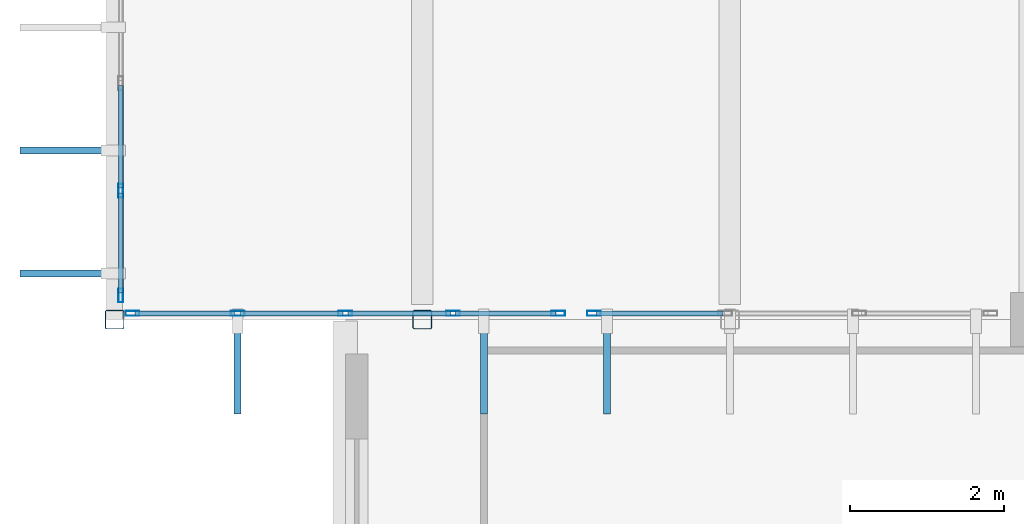
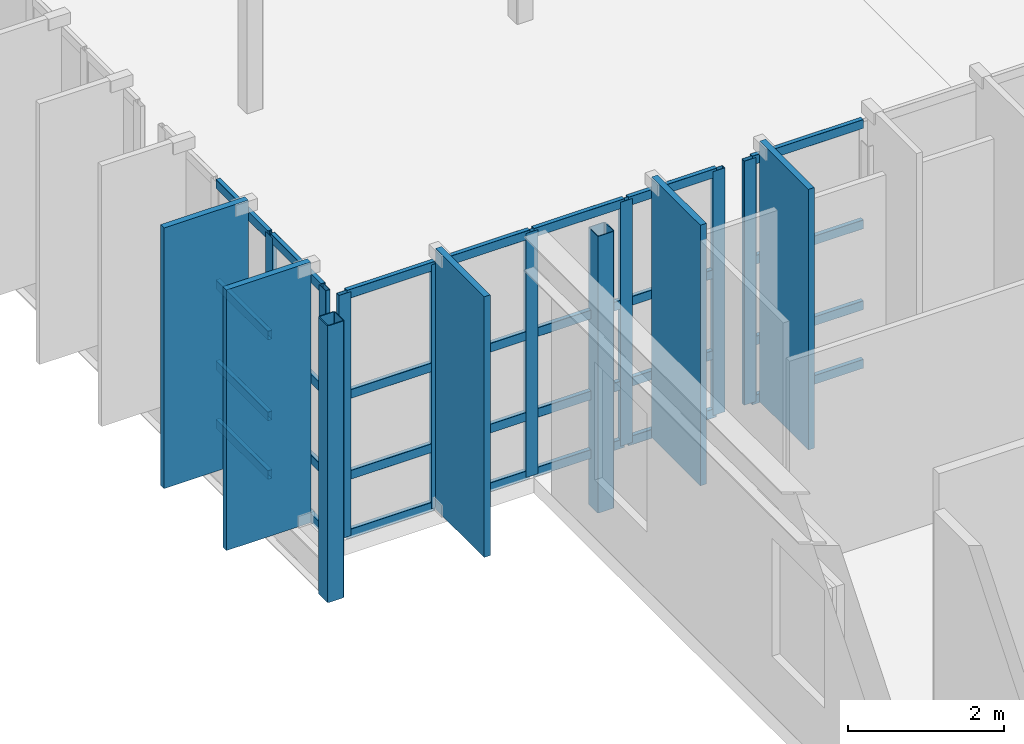
# One storey, part 25 of 110: 43 members, 3 elements without a shape of their own.
"""IFC4 building model written with IfcOpenShell, lengths in metres."""

from ifc_helpers import new_model, si_unit, direction, frame, origin, origin_2d, place, context, subcontext, project, spatial, rectangle, hollow_rectangle, extrude, material, material_profile, profile_set, type_object, element, aggregate, save


model = new_model("IFC4")

# Units and contexts
model_context = context("Model", 3, precision=1e-05, world=origin(), true_north=direction((0.0, 1.0)))
body_context = subcontext(model_context, "Body", "Model", "MODEL_VIEW")
ifc_project = project(units=[si_unit("LENGTHUNIT", "METRE"), si_unit("AREAUNIT", "SQUARE_METRE"), si_unit("VOLUMEUNIT", "CUBIC_METRE"), si_unit("PLANEANGLEUNIT", "RADIAN"), si_unit("MASSUNIT", "GRAM", prefix="KILO")], contexts=[model_context])

# Site, building, storey
site_placement = place(None, origin())
site = spatial("IfcSite", under=ifc_project, at=site_placement, CompositionType="ELEMENT")
building_placement = place(site_placement, origin())
building = spatial("IfcBuilding", under=site, at=building_placement, Name="Miravela Opera House", CompositionType="ELEMENT")
storey_placement = place(building_placement, frame((0.0, 0.0, 13.60009765625)))
storey = spatial("IfcBuildingStorey", under=building, at=storey_placement, Name="L03", CompositionType="ELEMENT", Elevation=13.60009765625)

# Curtain wall, members
ifc_material_1 = material(Name="Anodised architectural bronze aluminium 6063-T6", Category="aluminium")
curtain_wall_type = type_object("IfcCurtainWallType", Name="ARC-CW-02", PredefinedType="NOTDEFINED", material=ifc_material_1)
curtain_wall_1_placement = place(storey_placement, origin())
curtain_wall_1 = element("IfcCurtainWall", 1, at=curtain_wall_1_placement, inside=storey, type_object=curtain_wall_type, Name="Cantilever West Wrapper Glazing B1 CW-L03-015", PredefinedType="NOTDEFINED")
ifc_material_profile_1 = material_profile(ifc_material_1, hollow_rectangle(XDim=0.06494140625, YDim=0.179931640625, WallThickness=0.00390625, InnerFilletRadius=0.001953125, OuterFilletRadius=0.00390625, at=origin_2d()), Name="CWM-65X180")
ifc_profile_set_1 = profile_set([ifc_material_profile_1])
member_type_1 = type_object("IfcMemberType", Name="ARC-CWM-180", PredefinedType="MULLION", material=ifc_profile_set_1)
member_1_placement = place(storey_placement, frame((15.080078125, 37.3125, 0.0), z_axis=(0.0, 0.0, 1.0), x_axis=(-1.0, 0.0, 0.0)))
member_1 = element("IfcMember", 2, at=member_1_placement, type_object=member_type_1, Name="CW-02 mullion 1", PredefinedType="MULLION", context=body_context, shape_type="SweptSolid", body=[
    extrude(hollow_rectangle(XDim=0.06494140625, YDim=0.179931640625, WallThickness=0.00390625, InnerFilletRadius=0.001953125, OuterFilletRadius=0.00390625, at=origin_2d()), origin(), (0.0, 0.0, 1.0), 3.81982421875),
])
member_2_placement = place(storey_placement, frame((15.080078125, 38.6767578125, 0.0), z_axis=(0.0, 0.0, 1.0), x_axis=(-1.0, 0.0, 0.0)))
member_2 = element("IfcMember", 3, at=member_2_placement, type_object=member_type_1, Name="CW-02 mullion 2", PredefinedType="MULLION", context=body_context, shape_type="SweptSolid", body=[
    extrude(hollow_rectangle(XDim=0.06494140625, YDim=0.179931640625, WallThickness=0.00390625, InnerFilletRadius=0.001953125, OuterFilletRadius=0.00390625, at=origin_2d()), origin(), (0.0, 0.0, 1.0), 3.81982421875),
])

curtain_wall_2_placement = place(storey_placement, origin())
curtain_wall_2 = element("IfcCurtainWall", 4, at=curtain_wall_2_placement, inside=storey, type_object=curtain_wall_type, Name="Auditorium South Wrapper Glazing CW-L03-024", PredefinedType="NOTDEFINED")
member_3_placement = place(storey_placement, frame((15.232421875, 37.080078125, 0.0), z_axis=(0.0, 0.0, 1.0), x_axis=(0.0, 1.0, 0.0)))
member_3 = element("IfcMember", 5, at=member_3_placement, type_object=member_type_1, Name="CW-02 mullion 1", PredefinedType="MULLION", context=body_context, shape_type="SweptSolid", body=[
    extrude(hollow_rectangle(XDim=0.06494140625, YDim=0.179931640625, WallThickness=0.00390625, InnerFilletRadius=0.001953125, OuterFilletRadius=0.00390625, at=origin_2d()), origin(), (0.0, 0.0, 1.0), 3.81982421875),
])
member_4_placement = place(storey_placement, frame((16.60009765625, 37.080078125, 0.0), z_axis=(0.0, 0.0, 1.0), x_axis=(0.0, 1.0, 0.0)))
member_4 = element("IfcMember", 6, at=member_4_placement, type_object=member_type_1, Name="CW-02 mullion 2", PredefinedType="MULLION", context=body_context, shape_type="SweptSolid", body=[
    extrude(hollow_rectangle(XDim=0.06494140625, YDim=0.179931640625, WallThickness=0.00390625, InnerFilletRadius=0.001953125, OuterFilletRadius=0.00390625, at=origin_2d()), origin(), (0.0, 0.0, 1.0), 3.81982421875),
])
member_5_placement = place(storey_placement, frame((18.0, 37.080078125, 0.0), z_axis=(0.0, 0.0, 1.0), x_axis=(0.0, 1.0, 0.0)))
member_5 = element("IfcMember", 7, at=member_5_placement, type_object=member_type_1, Name="CW-02 mullion 3", PredefinedType="MULLION", context=body_context, shape_type="SweptSolid", body=[
    extrude(hollow_rectangle(XDim=0.06494140625, YDim=0.179931640625, WallThickness=0.00390625, InnerFilletRadius=0.001953125, OuterFilletRadius=0.00390625, at=origin_2d()), origin(), (0.0, 0.0, 1.0), 3.81982421875),
])
member_6_placement = place(storey_placement, frame((19.39990234375, 37.080078125, 0.0), z_axis=(0.0, 0.0, 1.0), x_axis=(0.0, 1.0, 0.0)))
member_6 = element("IfcMember", 8, at=member_6_placement, type_object=member_type_1, Name="CW-02 mullion 4", PredefinedType="MULLION", context=body_context, shape_type="SweptSolid", body=[
    extrude(hollow_rectangle(XDim=0.06494140625, YDim=0.179931640625, WallThickness=0.00390625, InnerFilletRadius=0.001953125, OuterFilletRadius=0.00390625, at=origin_2d()), origin(), (0.0, 0.0, 1.0), 3.81982421875),
])
member_7_placement = place(storey_placement, frame((20.767578125, 37.080078125, 0.0), z_axis=(0.0, 0.0, 1.0), x_axis=(0.0, 1.0, 0.0)))
member_7 = element("IfcMember", 9, at=member_7_placement, type_object=member_type_1, Name="CW-02 mullion 5", PredefinedType="MULLION", context=body_context, shape_type="SweptSolid", body=[
    extrude(hollow_rectangle(XDim=0.06494140625, YDim=0.179931640625, WallThickness=0.00390625, InnerFilletRadius=0.001953125, OuterFilletRadius=0.00390625, at=origin_2d()), origin(), (0.0, 0.0, 1.0), 3.81982421875),
])

# Curtain wall, member
curtain_wall_3_placement = place(storey_placement, origin())
curtain_wall_3 = element("IfcCurtainWall", 10, at=curtain_wall_3_placement, inside=storey, type_object=curtain_wall_type, Name="Auditorium South Wrapper Glazing CW-L03-026", PredefinedType="NOTDEFINED")
member_8_placement = place(storey_placement, frame((21.232421875, 37.080078125, 0.0), z_axis=(0.0, 0.0, 1.0), x_axis=(0.0, 1.0, 0.0)))
member_8 = element("IfcMember", 11, at=member_8_placement, type_object=member_type_1, Name="CW-02 mullion 1", PredefinedType="MULLION", context=body_context, shape_type="SweptSolid", body=[
    extrude(hollow_rectangle(XDim=0.06494140625, YDim=0.179931640625, WallThickness=0.00390625, InnerFilletRadius=0.001953125, OuterFilletRadius=0.00390625, at=origin_2d()), origin(), (0.0, 0.0, 1.0), 3.81982421875),
])

# Member
ifc_material_profile_2 = material_profile(ifc_material_1, hollow_rectangle(XDim=0.06494140625, YDim=0.139892578125, WallThickness=0.00390625, InnerFilletRadius=0.001953125, OuterFilletRadius=0.00390625, at=origin_2d()), Name="CWT-65X140")
ifc_profile_set_2 = profile_set([ifc_material_profile_2])
member_type_2 = type_object("IfcMemberType", Name="ARC-CWT-140", PredefinedType="USERDEFINED", material=ifc_profile_set_2)
member_9_placement = place(storey_placement, frame((15.080078125, 37.344970703125, 0.032470703125), z_axis=(0.0, 1.0, 0.0), x_axis=(-1.0, 0.0, 0.0)))
member_9 = element("IfcMember", 12, at=member_9_placement, type_object=member_type_2, Name="CW-02 transom 1.1", ObjectType="TRANSOM", PredefinedType="USERDEFINED", context=body_context, shape_type="SweptSolid", body=[
    extrude(hollow_rectangle(XDim=0.06494140625, YDim=0.139892578125, WallThickness=0.00390625, InnerFilletRadius=0.001953125, OuterFilletRadius=0.00390625, at=origin_2d()), origin(), (0.0, 0.0, 1.0), 1.29931640625),
])

member_10_placement = place(storey_placement, frame((15.080078125, 37.344970703125, 0.949951171875), z_axis=(0.0, 1.0, 0.0), x_axis=(-1.0, 0.0, 0.0)))
member_10 = element("IfcMember", 13, at=member_10_placement, type_object=member_type_2, Name="CW-02 transom 1.2", ObjectType="TRANSOM", PredefinedType="USERDEFINED", context=body_context, shape_type="SweptSolid", body=[
    extrude(hollow_rectangle(XDim=0.06494140625, YDim=0.139892578125, WallThickness=0.00390625, InnerFilletRadius=0.001953125, OuterFilletRadius=0.00390625, at=origin_2d()), origin(), (0.0, 0.0, 1.0), 1.29931640625),
])

member_11_placement = place(storey_placement, frame((15.080078125, 37.344970703125, 2.215576171875), z_axis=(0.0, 1.0, 0.0), x_axis=(-1.0, 0.0, 0.0)))
member_11 = element("IfcMember", 14, at=member_11_placement, type_object=member_type_2, Name="CW-02 transom 1.3", ObjectType="TRANSOM", PredefinedType="USERDEFINED", context=body_context, shape_type="SweptSolid", body=[
    extrude(hollow_rectangle(XDim=0.06494140625, YDim=0.139892578125, WallThickness=0.00390625, InnerFilletRadius=0.001953125, OuterFilletRadius=0.00390625, at=origin_2d()), origin(), (0.0, 0.0, 1.0), 1.29931640625),
])

member_12_placement = place(storey_placement, frame((15.080078125, 37.344970703125, 3.787353515625), z_axis=(0.0, 1.0, 0.0), x_axis=(-1.0, 0.0, 0.0)))
member_12 = element("IfcMember", 15, at=member_12_placement, type_object=member_type_2, Name="CW-02 transom 1.4", ObjectType="TRANSOM", PredefinedType="USERDEFINED", context=body_context, shape_type="SweptSolid", body=[
    extrude(hollow_rectangle(XDim=0.06494140625, YDim=0.139892578125, WallThickness=0.00390625, InnerFilletRadius=0.001953125, OuterFilletRadius=0.00390625, at=origin_2d()), origin(), (0.0, 0.0, 1.0), 1.29931640625),
])

member_13_placement = place(storey_placement, frame((15.080078125, 38.709228515625, 0.032470703125), z_axis=(0.0, 1.0, 0.0), x_axis=(-1.0, 0.0, 0.0)))
member_13 = element("IfcMember", 16, at=member_13_placement, type_object=member_type_2, Name="CW-02 transom 2.1", ObjectType="TRANSOM", PredefinedType="USERDEFINED", context=body_context, shape_type="SweptSolid", body=[
    extrude(hollow_rectangle(XDim=0.06494140625, YDim=0.139892578125, WallThickness=0.00390625, InnerFilletRadius=0.001953125, OuterFilletRadius=0.00390625, at=origin_2d()), origin(), (0.0, 0.0, 1.0), 1.33154296875),
])

member_14_placement = place(storey_placement, frame((15.080078125, 38.709228515625, 0.949951171875), z_axis=(0.0, 1.0, 0.0), x_axis=(-1.0, 0.0, 0.0)))
member_14 = element("IfcMember", 17, at=member_14_placement, type_object=member_type_2, Name="CW-02 transom 2.2", ObjectType="TRANSOM", PredefinedType="USERDEFINED", context=body_context, shape_type="SweptSolid", body=[
    extrude(hollow_rectangle(XDim=0.06494140625, YDim=0.139892578125, WallThickness=0.00390625, InnerFilletRadius=0.001953125, OuterFilletRadius=0.00390625, at=origin_2d()), origin(), (0.0, 0.0, 1.0), 1.33154296875),
])

member_15_placement = place(storey_placement, frame((15.080078125, 38.709228515625, 2.215576171875), z_axis=(0.0, 1.0, 0.0), x_axis=(-1.0, 0.0, 0.0)))
member_15 = element("IfcMember", 18, at=member_15_placement, type_object=member_type_2, Name="CW-02 transom 2.3", ObjectType="TRANSOM", PredefinedType="USERDEFINED", context=body_context, shape_type="SweptSolid", body=[
    extrude(hollow_rectangle(XDim=0.06494140625, YDim=0.139892578125, WallThickness=0.00390625, InnerFilletRadius=0.001953125, OuterFilletRadius=0.00390625, at=origin_2d()), origin(), (0.0, 0.0, 1.0), 1.33154296875),
])

member_16_placement = place(storey_placement, frame((15.080078125, 38.709228515625, 3.787353515625), z_axis=(0.0, 1.0, 0.0), x_axis=(-1.0, 0.0, 0.0)))
member_16 = element("IfcMember", 19, at=member_16_placement, type_object=member_type_2, Name="CW-02 transom 2.4", ObjectType="TRANSOM", PredefinedType="USERDEFINED", context=body_context, shape_type="SweptSolid", body=[
    extrude(hollow_rectangle(XDim=0.06494140625, YDim=0.139892578125, WallThickness=0.00390625, InnerFilletRadius=0.001953125, OuterFilletRadius=0.00390625, at=origin_2d()), origin(), (0.0, 0.0, 1.0), 1.33154296875),
])

aggregate(curtain_wall_1, [member_1, member_2, member_9, member_10, member_11, member_12, member_13, member_14, member_15, member_16])

member_17_placement = place(storey_placement, frame((15.264892578125, 37.080078125, 0.032470703125), z_axis=(1.0, 0.0, 0.0), x_axis=(0.0, 1.0, 0.0)))
member_17 = element("IfcMember", 20, at=member_17_placement, type_object=member_type_2, Name="CW-02 transom 1.1", ObjectType="TRANSOM", PredefinedType="USERDEFINED", context=body_context, shape_type="SweptSolid", body=[
    extrude(hollow_rectangle(XDim=0.06494140625, YDim=0.139892578125, WallThickness=0.00390625, InnerFilletRadius=0.001953125, OuterFilletRadius=0.00390625, at=origin_2d()), origin(), (0.0, 0.0, 1.0), 1.302490234375),
])

member_18_placement = place(storey_placement, frame((15.264892578125, 37.080078125, 0.949951171875), z_axis=(1.0, 0.0, 0.0), x_axis=(0.0, 1.0, 0.0)))
member_18 = element("IfcMember", 21, at=member_18_placement, type_object=member_type_2, Name="CW-02 transom 1.2", ObjectType="TRANSOM", PredefinedType="USERDEFINED", context=body_context, shape_type="SweptSolid", body=[
    extrude(hollow_rectangle(XDim=0.06494140625, YDim=0.139892578125, WallThickness=0.00390625, InnerFilletRadius=0.001953125, OuterFilletRadius=0.00390625, at=origin_2d()), origin(), (0.0, 0.0, 1.0), 1.302490234375),
])

member_19_placement = place(storey_placement, frame((15.264892578125, 37.080078125, 2.215576171875), z_axis=(1.0, 0.0, 0.0), x_axis=(0.0, 1.0, 0.0)))
member_19 = element("IfcMember", 22, at=member_19_placement, type_object=member_type_2, Name="CW-02 transom 1.3", ObjectType="TRANSOM", PredefinedType="USERDEFINED", context=body_context, shape_type="SweptSolid", body=[
    extrude(hollow_rectangle(XDim=0.06494140625, YDim=0.139892578125, WallThickness=0.00390625, InnerFilletRadius=0.001953125, OuterFilletRadius=0.00390625, at=origin_2d()), origin(), (0.0, 0.0, 1.0), 1.302490234375),
])

member_20_placement = place(storey_placement, frame((15.264892578125, 37.080078125, 3.787353515625), z_axis=(1.0, 0.0, 0.0), x_axis=(0.0, 1.0, 0.0)))
member_20 = element("IfcMember", 23, at=member_20_placement, type_object=member_type_2, Name="CW-02 transom 1.4", ObjectType="TRANSOM", PredefinedType="USERDEFINED", context=body_context, shape_type="SweptSolid", body=[
    extrude(hollow_rectangle(XDim=0.06494140625, YDim=0.139892578125, WallThickness=0.00390625, InnerFilletRadius=0.001953125, OuterFilletRadius=0.00390625, at=origin_2d()), origin(), (0.0, 0.0, 1.0), 1.302490234375),
])

member_21_placement = place(storey_placement, frame((16.632568359375, 37.080078125, 0.032470703125), z_axis=(1.0, 0.0, 0.0), x_axis=(0.0, 1.0, 0.0)))
member_21 = element("IfcMember", 24, at=member_21_placement, type_object=member_type_2, Name="CW-02 transom 2.1", ObjectType="TRANSOM", PredefinedType="USERDEFINED", context=body_context, shape_type="SweptSolid", body=[
    extrude(hollow_rectangle(XDim=0.06494140625, YDim=0.139892578125, WallThickness=0.00390625, InnerFilletRadius=0.001953125, OuterFilletRadius=0.00390625, at=origin_2d()), origin(), (0.0, 0.0, 1.0), 1.3349609375),
])

member_22_placement = place(storey_placement, frame((16.632568359375, 37.080078125, 0.949951171875), z_axis=(1.0, 0.0, 0.0), x_axis=(0.0, 1.0, 0.0)))
member_22 = element("IfcMember", 25, at=member_22_placement, type_object=member_type_2, Name="CW-02 transom 2.2", ObjectType="TRANSOM", PredefinedType="USERDEFINED", context=body_context, shape_type="SweptSolid", body=[
    extrude(hollow_rectangle(XDim=0.06494140625, YDim=0.139892578125, WallThickness=0.00390625, InnerFilletRadius=0.001953125, OuterFilletRadius=0.00390625, at=origin_2d()), origin(), (0.0, 0.0, 1.0), 1.3349609375),
])

member_23_placement = place(storey_placement, frame((16.632568359375, 37.080078125, 2.215576171875), z_axis=(1.0, 0.0, 0.0), x_axis=(0.0, 1.0, 0.0)))
member_23 = element("IfcMember", 26, at=member_23_placement, type_object=member_type_2, Name="CW-02 transom 2.3", ObjectType="TRANSOM", PredefinedType="USERDEFINED", context=body_context, shape_type="SweptSolid", body=[
    extrude(hollow_rectangle(XDim=0.06494140625, YDim=0.139892578125, WallThickness=0.00390625, InnerFilletRadius=0.001953125, OuterFilletRadius=0.00390625, at=origin_2d()), origin(), (0.0, 0.0, 1.0), 1.3349609375),
])

member_24_placement = place(storey_placement, frame((16.632568359375, 37.080078125, 3.787353515625), z_axis=(1.0, 0.0, 0.0), x_axis=(0.0, 1.0, 0.0)))
member_24 = element("IfcMember", 27, at=member_24_placement, type_object=member_type_2, Name="CW-02 transom 2.4", ObjectType="TRANSOM", PredefinedType="USERDEFINED", context=body_context, shape_type="SweptSolid", body=[
    extrude(hollow_rectangle(XDim=0.06494140625, YDim=0.139892578125, WallThickness=0.00390625, InnerFilletRadius=0.001953125, OuterFilletRadius=0.00390625, at=origin_2d()), origin(), (0.0, 0.0, 1.0), 1.3349609375),
])

member_25_placement = place(storey_placement, frame((18.032470703125, 37.080078125, 0.032470703125), z_axis=(1.0, 0.0, 0.0), x_axis=(0.0, 1.0, 0.0)))
member_25 = element("IfcMember", 28, at=member_25_placement, type_object=member_type_2, Name="CW-02 transom 3.1", ObjectType="TRANSOM", PredefinedType="USERDEFINED", context=body_context, shape_type="SweptSolid", body=[
    extrude(hollow_rectangle(XDim=0.06494140625, YDim=0.139892578125, WallThickness=0.00390625, InnerFilletRadius=0.001953125, OuterFilletRadius=0.00390625, at=origin_2d()), origin(), (0.0, 0.0, 1.0), 1.3349609375),
])

member_26_placement = place(storey_placement, frame((18.032470703125, 37.080078125, 0.949951171875), z_axis=(1.0, 0.0, 0.0), x_axis=(0.0, 1.0, 0.0)))
member_26 = element("IfcMember", 29, at=member_26_placement, type_object=member_type_2, Name="CW-02 transom 3.2", ObjectType="TRANSOM", PredefinedType="USERDEFINED", context=body_context, shape_type="SweptSolid", body=[
    extrude(hollow_rectangle(XDim=0.06494140625, YDim=0.139892578125, WallThickness=0.00390625, InnerFilletRadius=0.001953125, OuterFilletRadius=0.00390625, at=origin_2d()), origin(), (0.0, 0.0, 1.0), 1.3349609375),
])

member_27_placement = place(storey_placement, frame((18.032470703125, 37.080078125, 2.215576171875), z_axis=(1.0, 0.0, 0.0), x_axis=(0.0, 1.0, 0.0)))
member_27 = element("IfcMember", 30, at=member_27_placement, type_object=member_type_2, Name="CW-02 transom 3.3", ObjectType="TRANSOM", PredefinedType="USERDEFINED", context=body_context, shape_type="SweptSolid", body=[
    extrude(hollow_rectangle(XDim=0.06494140625, YDim=0.139892578125, WallThickness=0.00390625, InnerFilletRadius=0.001953125, OuterFilletRadius=0.00390625, at=origin_2d()), origin(), (0.0, 0.0, 1.0), 1.3349609375),
])

member_28_placement = place(storey_placement, frame((18.032470703125, 37.080078125, 3.787353515625), z_axis=(1.0, 0.0, 0.0), x_axis=(0.0, 1.0, 0.0)))
member_28 = element("IfcMember", 31, at=member_28_placement, type_object=member_type_2, Name="CW-02 transom 3.4", ObjectType="TRANSOM", PredefinedType="USERDEFINED", context=body_context, shape_type="SweptSolid", body=[
    extrude(hollow_rectangle(XDim=0.06494140625, YDim=0.139892578125, WallThickness=0.00390625, InnerFilletRadius=0.001953125, OuterFilletRadius=0.00390625, at=origin_2d()), origin(), (0.0, 0.0, 1.0), 1.3349609375),
])

member_29_placement = place(storey_placement, frame((19.4326171875, 37.080078125, 0.032470703125), z_axis=(1.0, 0.0, 0.0), x_axis=(0.0, 1.0, 0.0)))
member_29 = element("IfcMember", 32, at=member_29_placement, type_object=member_type_2, Name="CW-02 transom 4.1", ObjectType="TRANSOM", PredefinedType="USERDEFINED", context=body_context, shape_type="SweptSolid", body=[
    extrude(hollow_rectangle(XDim=0.06494140625, YDim=0.139892578125, WallThickness=0.00390625, InnerFilletRadius=0.001953125, OuterFilletRadius=0.00390625, at=origin_2d()), origin(), (0.0, 0.0, 1.0), 1.302490234375),
])

member_30_placement = place(storey_placement, frame((19.4326171875, 37.080078125, 0.949951171875), z_axis=(1.0, 0.0, 0.0), x_axis=(0.0, 1.0, 0.0)))
member_30 = element("IfcMember", 33, at=member_30_placement, type_object=member_type_2, Name="CW-02 transom 4.2", ObjectType="TRANSOM", PredefinedType="USERDEFINED", context=body_context, shape_type="SweptSolid", body=[
    extrude(hollow_rectangle(XDim=0.06494140625, YDim=0.139892578125, WallThickness=0.00390625, InnerFilletRadius=0.001953125, OuterFilletRadius=0.00390625, at=origin_2d()), origin(), (0.0, 0.0, 1.0), 1.302490234375),
])

member_31_placement = place(storey_placement, frame((19.4326171875, 37.080078125, 2.215576171875), z_axis=(1.0, 0.0, 0.0), x_axis=(0.0, 1.0, 0.0)))
member_31 = element("IfcMember", 34, at=member_31_placement, type_object=member_type_2, Name="CW-02 transom 4.3", ObjectType="TRANSOM", PredefinedType="USERDEFINED", context=body_context, shape_type="SweptSolid", body=[
    extrude(hollow_rectangle(XDim=0.06494140625, YDim=0.139892578125, WallThickness=0.00390625, InnerFilletRadius=0.001953125, OuterFilletRadius=0.00390625, at=origin_2d()), origin(), (0.0, 0.0, 1.0), 1.302490234375),
])

member_32_placement = place(storey_placement, frame((19.4326171875, 37.080078125, 3.787353515625), z_axis=(1.0, 0.0, 0.0), x_axis=(0.0, 1.0, 0.0)))
member_32 = element("IfcMember", 35, at=member_32_placement, type_object=member_type_2, Name="CW-02 transom 4.4", ObjectType="TRANSOM", PredefinedType="USERDEFINED", context=body_context, shape_type="SweptSolid", body=[
    extrude(hollow_rectangle(XDim=0.06494140625, YDim=0.139892578125, WallThickness=0.00390625, InnerFilletRadius=0.001953125, OuterFilletRadius=0.00390625, at=origin_2d()), origin(), (0.0, 0.0, 1.0), 1.302490234375),
])

aggregate(curtain_wall_2, [member_3, member_4, member_5, member_6, member_7, member_17, member_18, member_19, member_20, member_21, member_22, member_23, member_24, member_25, member_26, member_27, member_28, member_29, member_30, member_31, member_32])

member_33_placement = place(storey_placement, frame((21.264892578125, 37.080078125, 0.032470703125), z_axis=(1.0, 0.0, 0.0), x_axis=(0.0, 1.0, 0.0)))
member_33 = element("IfcMember", 36, at=member_33_placement, type_object=member_type_2, Name="CW-02 transom 1.1", ObjectType="TRANSOM", PredefinedType="USERDEFINED", context=body_context, shape_type="SweptSolid", body=[
    extrude(hollow_rectangle(XDim=0.06494140625, YDim=0.139892578125, WallThickness=0.00390625, InnerFilletRadius=0.001953125, OuterFilletRadius=0.00390625, at=origin_2d()), origin(), (0.0, 0.0, 1.0), 1.642578125),
])

member_34_placement = place(storey_placement, frame((21.264892578125, 37.080078125, 0.949951171875), z_axis=(1.0, 0.0, 0.0), x_axis=(0.0, 1.0, 0.0)))
member_34 = element("IfcMember", 37, at=member_34_placement, type_object=member_type_2, Name="CW-02 transom 1.2", ObjectType="TRANSOM", PredefinedType="USERDEFINED", context=body_context, shape_type="SweptSolid", body=[
    extrude(hollow_rectangle(XDim=0.06494140625, YDim=0.139892578125, WallThickness=0.00390625, InnerFilletRadius=0.001953125, OuterFilletRadius=0.00390625, at=origin_2d()), origin(), (0.0, 0.0, 1.0), 1.642578125),
])

member_35_placement = place(storey_placement, frame((21.264892578125, 37.080078125, 2.215576171875), z_axis=(1.0, 0.0, 0.0), x_axis=(0.0, 1.0, 0.0)))
member_35 = element("IfcMember", 38, at=member_35_placement, type_object=member_type_2, Name="CW-02 transom 1.3", ObjectType="TRANSOM", PredefinedType="USERDEFINED", context=body_context, shape_type="SweptSolid", body=[
    extrude(hollow_rectangle(XDim=0.06494140625, YDim=0.139892578125, WallThickness=0.00390625, InnerFilletRadius=0.001953125, OuterFilletRadius=0.00390625, at=origin_2d()), origin(), (0.0, 0.0, 1.0), 1.642578125),
])

member_36_placement = place(storey_placement, frame((21.264892578125, 37.080078125, 3.787353515625), z_axis=(1.0, 0.0, 0.0), x_axis=(0.0, 1.0, 0.0)))
member_36 = element("IfcMember", 39, at=member_36_placement, type_object=member_type_2, Name="CW-02 transom 1.4", ObjectType="TRANSOM", PredefinedType="USERDEFINED", context=body_context, shape_type="SweptSolid", body=[
    extrude(hollow_rectangle(XDim=0.06494140625, YDim=0.139892578125, WallThickness=0.00390625, InnerFilletRadius=0.001953125, OuterFilletRadius=0.00390625, at=origin_2d()), origin(), (0.0, 0.0, 1.0), 1.642578125),
])

aggregate(curtain_wall_3, [member_8, member_33, member_34, member_35, member_36])

# Members
ifc_material_profile_3 = material_profile(ifc_material_1, rectangle(XDim=0.090087890625, YDim=1.25, at=origin_2d()), Name="FIN-1250X90")
ifc_profile_set_3 = profile_set([ifc_material_profile_3])
member_type_3 = type_object("IfcMemberType", Name="ARC-FIN-1250", PredefinedType="USERDEFINED", material=ifc_profile_set_3)
for number, where, z_axis, x_axis, name in (
    (40, (14.39501953125, 37.60009765625, 0.0), (0.0, 0.0, 1.0), (0.0, 1.0, 0.0), "Auditorium Wrapper Bronze Solar Fin FIN-L03-WEST-0037"),
    (41, (14.39501953125, 39.199951171875, 0.0), (0.0, 0.0, 1.0), (0.0, 1.0, 0.0), "Auditorium Wrapper Bronze Solar Fin FIN-L03-WEST-0038"),
    (42, (16.60009765625, 36.39501953125, 0.0), (0.0, 0.0, 1.0), (1.0, 0.0, 0.0), "Auditorium Wrapper Bronze Solar Fin FIN-L03-SOUTH-0062"),
    (43, (19.800048828125, 36.39501953125, 0.0), (0.0, 0.0, 1.0), (1.0, 0.0, 0.0), "Auditorium Wrapper Bronze Solar Fin FIN-L03-SOUTH-0064"),
    (44, (21.39990234375, 36.39501953125, 0.0), (0.0, 0.0, 1.0), (1.0, 0.0, 0.0), "Auditorium Wrapper Bronze Solar Fin FIN-L03-SOUTH-0066"),
):
    element("IfcMember", number, at=place(storey_placement, frame(where, z_axis=z_axis, x_axis=x_axis)), inside=storey, type_object=member_type_3, Name=name, ObjectType="FIN", PredefinedType="USERDEFINED", context=body_context, shape_type="SweptSolid", body=[
        extrude(rectangle(XDim=0.090087890625, YDim=1.25, at=origin_2d()), origin(), (0.0, 0.0, 1.0), 4.079833984375),
    ])
ifc_material_2 = material(Name="Hollow structural steel ASTM A500 Gr. C", Category="steel")
ifc_material_profile_4 = material_profile(ifc_material_2, hollow_rectangle(XDim=0.25, YDim=0.25, WallThickness=0.011962890625, InnerFilletRadius=0.011962890625, OuterFilletRadius=0.02392578125, at=origin_2d()), Name="HSS250X250X12")
ifc_profile_set_4 = profile_set([ifc_material_profile_4])
member_type_4 = type_object("IfcMemberType", Name="STR-MEM-CANT-POST2", PredefinedType="POST", material=ifc_profile_set_4)
for number, where, z_axis, x_axis, name in (
    (45, (15.0, 37.0, -0.793212890625), (0.0, 0.0, 1.0), (1.0, 0.0, 0.0), "Upper Wrapper Truss Post L03 X=15.0"),
    (46, (19.0, 37.0, -0.793212890625), (0.0, 0.0, 1.0), (1.0, 0.0, 0.0), "Upper Wrapper Truss Post L03 X=19.0"),
):
    element("IfcMember", number, at=place(storey_placement, frame(where, z_axis=z_axis, x_axis=x_axis)), inside=storey, type_object=member_type_4, Name=name, PredefinedType="POST", context=body_context, shape_type="SweptSolid", body=[
        extrude(hollow_rectangle(XDim=0.25, YDim=0.25, WallThickness=0.011962890625, InnerFilletRadius=0.011962890625, OuterFilletRadius=0.02392578125, at=origin_2d()), origin(), (0.0, 0.0, 1.0), 4.3330078125),
    ])

save(model, "model.ifc")
